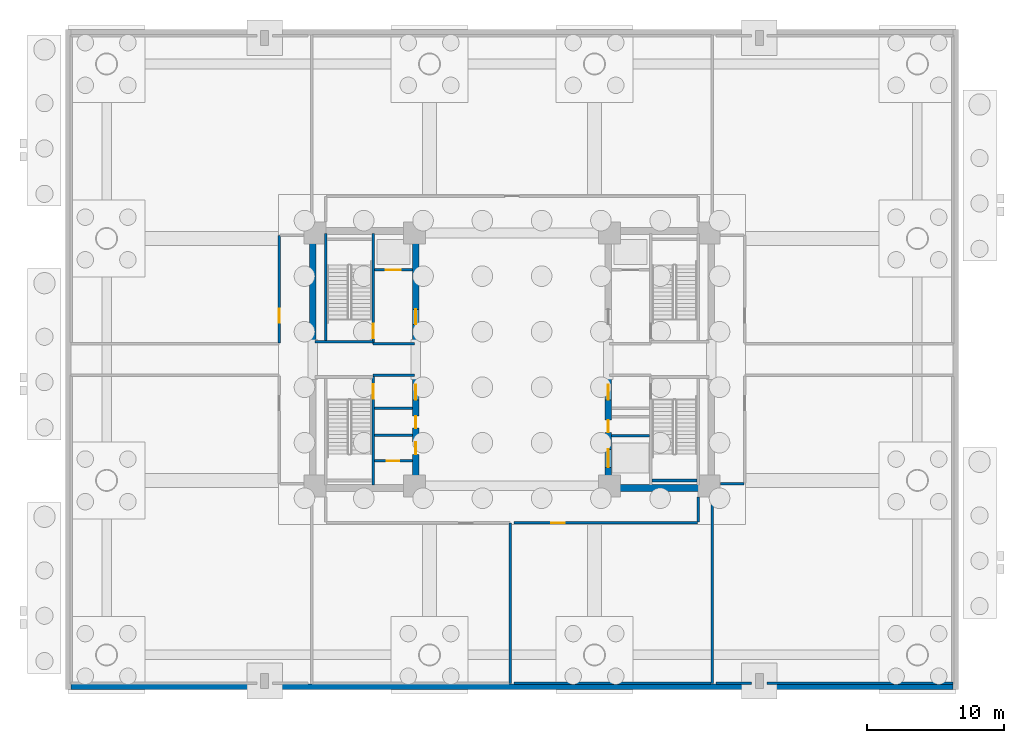
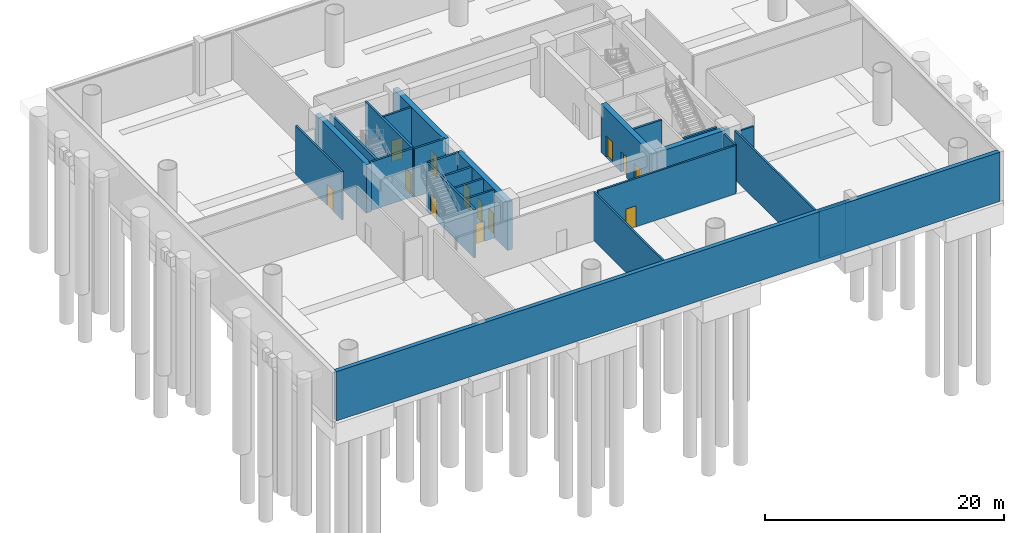
# One storey, part 3 of 7: 27 walls, 13 doors, 13 openings.
"""IFC4 building model written with IfcOpenShell, lengths in metres."""

from ifc_helpers import new_model, si_unit, direction, frame, frame_2d, origin, place, context, subcontext, project, spatial, rectangle, extrude, source, transform, mapped, material, layer, layer_set, type_object, element, fill, save


model = new_model("IFC4")

# Units and contexts
model_context = context("Model", 3, precision=1e-05, world=origin(), true_north=direction((0.0, 1.0)))
body_context = subcontext(model_context, "Body", "Model", "MODEL_VIEW")
ifc_project = project(units=[si_unit("LENGTHUNIT", "METRE"), si_unit("AREAUNIT", "SQUARE_METRE"), si_unit("VOLUMEUNIT", "CUBIC_METRE"), si_unit("PLANEANGLEUNIT", "RADIAN"), si_unit("MASSUNIT", "GRAM", prefix="KILO")], contexts=[model_context])

# Site, building, storey
site_placement = place(None, origin())
site = spatial("IfcSite", under=ifc_project, at=site_placement, CompositionType="ELEMENT")
building_placement = place(site_placement, origin())
building = spatial("IfcBuilding", under=site, at=building_placement, Name="Zahravan Cultural Tower", CompositionType="ELEMENT")
storey_placement = place(building_placement, frame((0.0, 0.0, -5.39990234375)))
storey = spatial("IfcBuildingStorey", under=building, at=storey_placement, Name="B1", CompositionType="ELEMENT", Elevation=-5.39990234375)

# Wall, openings, doors
ifc_material_1 = material(Name="Concrete C60/75", Category="concrete")
ifc_layer_1 = layer(ifc_material_1, 0.5)
ifc_layer_set_1 = layer_set([ifc_layer_1], Name="Concrete C60/75")
wall_type_1 = type_object("IfcWallType", Name="CW-SHEAR-500-C60", PredefinedType="SHEAR", material=ifc_layer_set_1)
wall_1_placement = place(storey_placement, frame((29.0, 17.39990234375, 0.0), z_axis=(0.0, 0.0, 1.0), x_axis=(0.0, 1.0, 0.0)))
wall_1 = element("IfcWall", 1, at=wall_1_placement, inside=storey, type_object=wall_type_1, Name="B1 Core Shear Wall CW-W-ES-B1", PredefinedType="SHEAR", context=body_context, shape_type="SweptSolid", body=[
    extrude(rectangle(XDim=8.550048828125, YDim=0.5, at=frame_2d((4.27490234375, 0.0))), origin(), (0.0, 0.0, 1.0), 4.949951171875),
])
opening_1_placement = place(wall_1_placement, frame((6.64990234375, 0.0, 0.0)))
opening_1 = element("IfcOpeningElement", 2, at=opening_1_placement, cuts=wall_1, Name="Opening D-B1-07", PredefinedType="OPENING", context=body_context, shape_type="SweptSolid", body=[
    extrude(rectangle(XDim=1.10009765625, YDim=2.199951171875, at=frame_2d((0.550048828125, 1.10009765625))), frame((0.0, 0.260009765625, 0.0), z_axis=(0.0, -1.0, 0.0), x_axis=(1.0, 0.0, 0.0)), (0.0, 0.0, 1.0), 0.52001953125),
])
opening_2_placement = place(wall_1_placement, frame((2.699951171875, 0.0, 0.0)))
opening_2 = element("IfcOpeningElement", 3, at=opening_2_placement, cuts=wall_1, Name="Opening D-B1-10", PredefinedType="OPENING", context=body_context, shape_type="SweptSolid", body=[
    extrude(rectangle(XDim=0.8798828125, YDim=2.10009765625, at=frame_2d((0.43994140625, 1.050048828125))), frame((0.0, 0.260009765625, 0.0), z_axis=(0.0, -1.0, 0.0), x_axis=(1.0, 0.0, 0.0)), (0.0, 0.0, 1.0), 0.52001953125),
])
opening_3_placement = place(wall_1_placement, frame((4.60009765625, 0.0, 0.0)))
opening_3 = element("IfcOpeningElement", 4, at=opening_3_placement, cuts=wall_1, Name="Opening D-B1-11", PredefinedType="OPENING", context=body_context, shape_type="SweptSolid", body=[
    extrude(rectangle(XDim=0.8798828125, YDim=2.10009765625, at=frame_2d((0.43994140625, 1.050048828125))), frame((0.0, 0.260009765625, 0.0), z_axis=(0.0, -1.0, 0.0), x_axis=(1.0, 0.0, 0.0)), (0.0, 0.0, 1.0), 0.52001953125),
])
ifc_material_2 = material(Name="Steel ASTM A572 Grade 50", Category="steel")
door_type_1 = type_object("IfcDoorType", Name="DR-LOBBY-1100", OperationType="NOTDEFINED", PredefinedType="DOOR", material=ifc_material_2)
shared_shape_1 = source(origin(), body_context, "Body", "SweptSolid", [
    extrude(rectangle(XDim=1.10009765625, YDim=2.199951171875, at=frame_2d((0.550048828125, 1.10009765625))), frame((0.0, 0.02490234375, 0.0), z_axis=(0.0, -1.0, 0.0), x_axis=(1.0, 0.0, 0.0)), (0.0, 0.0, 1.0), 0.050048828125),
])
door_1_placement = place(opening_1_placement, origin())
door_1 = element("IfcDoor", 5, at=door_1_placement, inside=storey, type_object=door_type_1, Name="B1 Door D-B1-07", OperationType="SINGLE_SWING_RIGHT", OverallHeight=2.199951171875, OverallWidth=1.10009765625, PredefinedType="DOOR", context=body_context, shape_type="MappedRepresentation", body=[
    mapped(shared_shape_1, transform((0.0, 0.0, 0.0), x_axis=(1.0, 0.0, 0.0), y_axis=(0.0, 1.0, 0.0), z_axis=(0.0, 0.0, 1.0), scale=1.0)),
])
fill(opening_1, door_1)
door_type_2 = type_object("IfcDoorType", Name="DR-SVC-880", OperationType="NOTDEFINED", PredefinedType="DOOR", material=ifc_material_2)
shared_shape_2 = source(origin(), body_context, "Body", "SweptSolid", [
    extrude(rectangle(XDim=0.8798828125, YDim=2.10009765625, at=frame_2d((0.43994140625, 1.050048828125))), frame((0.0, 0.02490234375, 0.0), z_axis=(0.0, -1.0, 0.0), x_axis=(1.0, 0.0, 0.0)), (0.0, 0.0, 1.0), 0.050048828125),
])
door_2_placement = place(opening_2_placement, origin())
door_2 = element("IfcDoor", 6, at=door_2_placement, inside=storey, type_object=door_type_2, Name="B1 Door D-B1-10", OperationType="SINGLE_SWING_LEFT", OverallHeight=2.10009765625, OverallWidth=0.8798828125, PredefinedType="DOOR", context=body_context, shape_type="MappedRepresentation", body=[
    mapped(shared_shape_2, transform((0.0, 0.0, 0.0), x_axis=(1.0, 0.0, 0.0), y_axis=(0.0, 1.0, 0.0), z_axis=(0.0, 0.0, 1.0), scale=1.0)),
])
fill(opening_2, door_2)
door_3_placement = place(opening_3_placement, origin())
door_3 = element("IfcDoor", 7, at=door_3_placement, inside=storey, type_object=door_type_2, Name="B1 Door D-B1-11", OperationType="SINGLE_SWING_RIGHT", OverallHeight=2.10009765625, OverallWidth=0.8798828125, PredefinedType="DOOR", context=body_context, shape_type="MappedRepresentation", body=[
    mapped(shared_shape_2, transform((0.0, 0.0, 0.0), x_axis=(1.0, 0.0, 0.0), y_axis=(0.0, 1.0, 0.0), z_axis=(0.0, 0.0, 1.0), scale=1.0)),
])
fill(opening_3, door_3)

# Wall, opening, door
wall_2_placement = place(storey_placement, frame((29.0, 28.050048828125, 0.0), z_axis=(0.0, 0.0, 1.0), x_axis=(0.0, 1.0, 0.0)))
wall_2 = element("IfcWall", 8, at=wall_2_placement, inside=storey, type_object=wall_type_1, Name="B1 Core Shear Wall CW-W-EN-B1", PredefinedType="SHEAR", context=body_context, shape_type="SweptSolid", body=[
    extrude(rectangle(XDim=8.550048828125, YDim=0.5, at=frame_2d((4.27490234375, 0.0))), origin(), (0.0, 0.0, 1.0), 4.949951171875),
])
opening_4_placement = place(wall_2_placement, frame((1.5, 0.0, 0.0)))
opening_4 = element("IfcOpeningElement", 9, at=opening_4_placement, cuts=wall_2, Name="Opening D-B1-05", PredefinedType="OPENING", context=body_context, shape_type="SweptSolid", body=[
    extrude(rectangle(XDim=1.10009765625, YDim=2.199951171875, at=frame_2d((0.550048828125, 1.10009765625))), frame((0.0, 0.260009765625, 0.0), z_axis=(0.0, -1.0, 0.0), x_axis=(1.0, 0.0, 0.0)), (0.0, 0.0, 1.0), 0.52001953125),
])
door_4_placement = place(opening_4_placement, origin())
door_4 = element("IfcDoor", 10, at=door_4_placement, inside=storey, type_object=door_type_1, Name="B1 Door D-B1-05", OperationType="SINGLE_SWING_RIGHT", OverallHeight=2.199951171875, OverallWidth=1.10009765625, PredefinedType="DOOR", context=body_context, shape_type="MappedRepresentation", body=[
    mapped(shared_shape_1, transform((0.0, 0.0, 0.0), x_axis=(1.0, 0.0, 0.0), y_axis=(0.0, 1.0, 0.0), z_axis=(0.0, 0.0, 1.0), scale=1.0)),
])
fill(opening_4, door_4)

# Wall, openings, doors
wall_3_placement = place(storey_placement, frame((43.0, 17.39990234375, 0.0), z_axis=(0.0, 0.0, 1.0), x_axis=(0.0, 1.0, 0.0)))
wall_3 = element("IfcWall", 11, at=wall_3_placement, inside=storey, type_object=wall_type_1, Name="B1 Core Shear Wall CW-E-WS-B1", PredefinedType="SHEAR", context=body_context, shape_type="SweptSolid", body=[
    extrude(rectangle(XDim=8.550048828125, YDim=0.5, at=frame_2d((4.27490234375, 0.0))), origin(), (0.0, 0.0, 1.0), 4.949951171875),
])
opening_5_placement = place(wall_3_placement, frame((6.64990234375, 0.0, 0.0)))
opening_5 = element("IfcOpeningElement", 12, at=opening_5_placement, cuts=wall_3, Name="Opening D-B1-08", PredefinedType="OPENING", context=body_context, shape_type="SweptSolid", body=[
    extrude(rectangle(XDim=1.10009765625, YDim=2.199951171875, at=frame_2d((0.550048828125, 1.10009765625))), frame((0.0, 0.260009765625, 0.0), z_axis=(0.0, -1.0, 0.0), x_axis=(1.0, 0.0, 0.0)), (0.0, 0.0, 1.0), 0.52001953125),
])
opening_6_placement = place(wall_3_placement, frame((1.75, 0.0, 0.0)))
opening_6 = element("IfcOpeningElement", 13, at=opening_6_placement, cuts=wall_3, Name="Opening LD-B1-03", PredefinedType="OPENING", context=body_context, shape_type="SweptSolid", body=[
    extrude(rectangle(XDim=1.300048828125, YDim=2.199951171875, at=frame_2d((0.64990234375, 1.10009765625))), frame((0.0, 0.260009765625, 0.0), z_axis=(0.0, -1.0, 0.0), x_axis=(1.0, 0.0, 0.0)), (0.0, 0.0, 1.0), 0.52001953125),
])
opening_7_placement = place(wall_3_placement, frame((4.300048828125, 0.0, 0.0)))
opening_7 = element("IfcOpeningElement", 14, at=opening_7_placement, cuts=wall_3, Name="Opening D-B1-12", PredefinedType="OPENING", context=body_context, shape_type="SweptSolid", body=[
    extrude(rectangle(XDim=0.8798828125, YDim=2.10009765625, at=frame_2d((0.43994140625, 1.050048828125))), frame((0.0, 0.260009765625, 0.0), z_axis=(0.0, -1.0, 0.0), x_axis=(1.0, 0.0, 0.0)), (0.0, 0.0, 1.0), 0.52001953125),
])
door_5_placement = place(opening_5_placement, origin())
door_5 = element("IfcDoor", 15, at=door_5_placement, inside=storey, type_object=door_type_1, Name="B1 Door D-B1-08", OperationType="SINGLE_SWING_LEFT", OverallHeight=2.199951171875, OverallWidth=1.10009765625, PredefinedType="DOOR", context=body_context, shape_type="MappedRepresentation", body=[
    mapped(shared_shape_1, transform((0.0, 0.0, 0.0), x_axis=(1.0, 0.0, 0.0), y_axis=(0.0, 1.0, 0.0), z_axis=(0.0, 0.0, 1.0), scale=1.0)),
])
fill(opening_5, door_5)
door_type_3 = type_object("IfcDoorType", Name="DR-LIFT-1300", OperationType="DOUBLE_DOOR_SLIDING", PredefinedType="DOOR", material=ifc_material_2)
shared_shape_3 = source(origin(), body_context, "Body", "SweptSolid", [
    extrude(rectangle(XDim=1.300048828125, YDim=2.199951171875, at=frame_2d((0.64990234375, 1.10009765625))), frame((0.0, 0.02490234375, 0.0), z_axis=(0.0, -1.0, 0.0), x_axis=(1.0, 0.0, 0.0)), (0.0, 0.0, 1.0), 0.050048828125),
])
door_6_placement = place(opening_6_placement, origin())
door_6 = element("IfcDoor", 16, at=door_6_placement, inside=storey, type_object=door_type_3, Name="B1 Door LD-B1-03", OperationType="DOUBLE_DOOR_SLIDING", OverallHeight=2.199951171875, OverallWidth=1.300048828125, PredefinedType="DOOR", context=body_context, shape_type="MappedRepresentation", body=[
    mapped(shared_shape_3, transform((0.0, 0.0, 0.0), x_axis=(1.0, 0.0, 0.0), y_axis=(0.0, 1.0, 0.0), z_axis=(0.0, 0.0, 1.0), scale=1.0)),
])
fill(opening_6, door_6)
door_7_placement = place(opening_7_placement, origin())
door_7 = element("IfcDoor", 17, at=door_7_placement, inside=storey, type_object=door_type_2, Name="B1 Door D-B1-12", OperationType="SINGLE_SWING_LEFT", OverallHeight=2.10009765625, OverallWidth=0.8798828125, PredefinedType="DOOR", context=body_context, shape_type="MappedRepresentation", body=[
    mapped(shared_shape_2, transform((0.0, 0.0, 0.0), x_axis=(1.0, 0.0, 0.0), y_axis=(0.0, 1.0, 0.0), z_axis=(0.0, 0.0, 1.0), scale=1.0)),
])
fill(opening_7, door_7)

# Wall, opening, door
ifc_material_3 = material(Name="Gypsum plasterboard partition")
ifc_layer_2 = layer(ifc_material_3, 0.179931640625)
ifc_layer_set_2 = layer_set([ifc_layer_2], Name="Gypsum plasterboard partition")
wall_type_2 = type_object("IfcWallType", Name="W-COMP-180", PredefinedType="PARTITIONING", material=ifc_layer_set_2)
wall_4_placement = place(storey_placement, frame((26.0, 19.6201171875, 0.0), z_axis=(0.0, 0.0, 1.0), x_axis=(1.0, 0.0, 0.0)))
wall_4 = element("IfcWall", 18, at=wall_4_placement, inside=storey, type_object=wall_type_2, Name="B1 Interior Wall 026", PredefinedType="PARTITIONING", context=body_context, shape_type="SweptSolid", body=[
    extrude(rectangle(XDim=2.75, YDim=0.179931640625, at=frame_2d((1.375, 0.0))), origin(), (0.0, 0.0, 1.0), 4.949951171875),
])
opening_8_placement = place(wall_4_placement, frame((0.89990234375, 0.0, 0.0)))
opening_8 = element("IfcOpeningElement", 19, at=opening_8_placement, cuts=wall_4, Name="Opening D-B1-09", PredefinedType="OPENING", context=body_context, shape_type="SweptSolid", body=[
    extrude(rectangle(XDim=0.8798828125, YDim=2.10009765625, at=frame_2d((0.43994140625, 1.050048828125))), frame((0.0, 0.099853515625, 0.0), z_axis=(0.0, -1.0, 0.0), x_axis=(1.0, 0.0, 0.0)), (0.0, 0.0, 1.0), 0.199951171875),
])
door_8_placement = place(opening_8_placement, origin())
door_8 = element("IfcDoor", 20, at=door_8_placement, inside=storey, type_object=door_type_2, Name="B1 Door D-B1-09", OperationType="SINGLE_SWING_RIGHT", OverallHeight=2.10009765625, OverallWidth=0.8798828125, PredefinedType="DOOR", context=body_context, shape_type="MappedRepresentation", body=[
    mapped(shared_shape_2, transform((0.0, 0.0, 0.0), x_axis=(1.0, 0.0, 0.0), y_axis=(0.0, 1.0, 0.0), z_axis=(0.0, 0.0, 1.0), scale=1.0)),
])
fill(opening_8, door_8)

wall_5_placement = place(storey_placement, frame((36.139892578125, 15.110107421875, 0.0), z_axis=(0.0, 0.0, 1.0), x_axis=(0.99999999183, 0.000127830532, 0.0)))
wall_5 = element("IfcWall", 21, at=wall_5_placement, inside=storey, type_object=wall_type_2, Name="B1 Interior Wall 036", PredefinedType="PARTITIONING", context=body_context, shape_type="SweptSolid", body=[
    extrude(rectangle(XDim=13.369140625, YDim=0.179931640625, at=frame_2d((6.6845703125, 0.0))), origin(), (0.0, 0.0, 1.0), 4.949951171875),
])
opening_9_placement = place(wall_5_placement, frame((2.707275390625, 0.0, 0.0)))
opening_9 = element("IfcOpeningElement", 22, at=opening_9_placement, cuts=wall_5, Name="Opening D-B1-17", PredefinedType="OPENING", context=body_context, shape_type="SweptSolid", body=[
    extrude(rectangle(XDim=1.0, YDim=2.14990234375, at=frame_2d((0.5, 1.074951171875))), frame((0.0, 0.099853515625, 0.0), z_axis=(0.0, -1.0, 0.0), x_axis=(1.0, 0.0, 0.0)), (0.0, 0.0, 1.0), 0.199951171875),
])
door_type_4 = type_object("IfcDoorType", Name="DR-COMP-1000", OperationType="NOTDEFINED", PredefinedType="DOOR", material=ifc_material_2)
shared_shape_4 = source(origin(), body_context, "Body", "SweptSolid", [
    extrude(rectangle(XDim=1.0, YDim=2.14990234375, at=frame_2d((0.5, 1.074951171875))), frame((0.0, 0.02490234375, 0.0), z_axis=(0.0, -1.0, 0.0), x_axis=(1.0, 0.0, 0.0)), (0.0, 0.0, 1.0), 0.050048828125),
])
door_9_placement = place(opening_9_placement, origin())
door_9 = element("IfcDoor", 23, at=door_9_placement, inside=storey, type_object=door_type_4, Name="B1 Door D-B1-17", OperationType="SINGLE_SWING_RIGHT", OverallHeight=2.14990234375, OverallWidth=1.0, PredefinedType="DOOR", context=body_context, shape_type="MappedRepresentation", body=[
    mapped(shared_shape_4, transform((0.0, 0.0, 0.0), x_axis=(1.0, 0.0, 0.0), y_axis=(0.0, 1.0, 0.0), z_axis=(0.0, 0.0, 1.0), scale=1.0)),
])
fill(opening_9, door_9)

wall_6_placement = place(storey_placement, frame((19.06201171875, 36.009033203125, 0.0), z_axis=(0.0, 0.0, 1.0), x_axis=(-0.000250109415, -0.999999968723, 0.0)))
wall_6 = element("IfcWall", 24, at=wall_6_placement, inside=storey, type_object=wall_type_2, Name="B1 Interior Wall 055", PredefinedType="PARTITIONING", context=body_context, shape_type="SweptSolid", body=[
    extrude(rectangle(XDim=7.80908203125, YDim=0.179931640625, at=frame_2d((3.904541015625, 0.0))), origin(), (0.0, 0.0, 1.0), 4.949951171875),
])
opening_10_placement = place(wall_6_placement, frame((5.3251953125, 0.0, 0.0)))
opening_10 = element("IfcOpeningElement", 25, at=opening_10_placement, cuts=wall_6, Name="Opening D-B1-14", PredefinedType="OPENING", context=body_context, shape_type="SweptSolid", body=[
    extrude(rectangle(XDim=1.0, YDim=2.14990234375, at=frame_2d((0.5, 1.074951171875))), frame((0.0, 0.099853515625, 0.0), z_axis=(0.0, -1.0, 0.0), x_axis=(1.0, 0.0, 0.0)), (0.0, 0.0, 1.0), 0.199951171875),
])
door_10_placement = place(opening_10_placement, origin())
door_10 = element("IfcDoor", 26, at=door_10_placement, inside=storey, type_object=door_type_4, Name="B1 Door D-B1-14", OperationType="SINGLE_SWING_LEFT", OverallHeight=2.14990234375, OverallWidth=1.0, PredefinedType="DOOR", context=body_context, shape_type="MappedRepresentation", body=[
    mapped(shared_shape_4, transform((0.0, 0.0, 0.0), x_axis=(1.0, 0.0, 0.0), y_axis=(0.0, 1.0, 0.0), z_axis=(0.0, 0.0, 1.0), scale=1.0)),
])
fill(opening_10, door_10)

ifc_material_4 = material(Name="Concrete C45/55", Category="concrete")
ifc_layer_3 = layer(ifc_material_4, 0.199951171875)
ifc_layer_set_3 = layer_set([ifc_layer_3], Name="Concrete C45/55")
wall_type_3 = type_object("IfcWallType", Name="W-SHAFT-200", PredefinedType="SOLIDWALL", material=ifc_layer_set_3)
wall_7_placement = place(storey_placement, frame((25.89990234375, 17.85009765625, 0.0), z_axis=(0.0, 0.0, 1.0), x_axis=(0.0, 1.0, 0.0)))
wall_7 = element("IfcWall", 27, at=wall_7_placement, inside=storey, type_object=wall_type_3, Name="B1 Interior Wall 005", PredefinedType="SOLIDWALL", context=body_context, shape_type="SweptSolid", body=[
    extrude(rectangle(XDim=8.0, YDim=0.199951171875, at=frame_2d((4.0, 0.0))), origin(), (0.0, 0.0, 1.0), 4.949951171875),
])
opening_11_placement = place(wall_7_placement, frame((6.300048828125, 0.0, 0.0)))
opening_11 = element("IfcOpeningElement", 28, at=opening_11_placement, cuts=wall_7, Name="Opening D-B1-04", PredefinedType="OPENING", context=body_context, shape_type="SweptSolid", body=[
    extrude(rectangle(XDim=1.050048828125, YDim=2.14990234375, at=frame_2d((0.52490234375, 1.074951171875))), frame((0.0, 0.10986328125, 0.0), z_axis=(0.0, -1.0, 0.0), x_axis=(1.0, 0.0, 0.0)), (0.0, 0.0, 1.0), 0.219970703125),
])
door_type_5 = type_object("IfcDoorType", Name="DR-STAIR-1050", OperationType="NOTDEFINED", PredefinedType="DOOR", material=ifc_material_2)
shared_shape_5 = source(origin(), body_context, "Body", "SweptSolid", [
    extrude(rectangle(XDim=1.050048828125, YDim=2.14990234375, at=frame_2d((0.52490234375, 1.074951171875))), frame((0.0, 0.02490234375, 0.0), z_axis=(0.0, -1.0, 0.0), x_axis=(1.0, 0.0, 0.0)), (0.0, 0.0, 1.0), 0.050048828125),
])
door_11_placement = place(opening_11_placement, origin())
door_11 = element("IfcDoor", 29, at=door_11_placement, inside=storey, type_object=door_type_5, Name="B1 Door D-B1-04", OperationType="SINGLE_SWING_LEFT", OverallHeight=2.14990234375, OverallWidth=1.050048828125, PredefinedType="DOOR", context=body_context, shape_type="MappedRepresentation", body=[
    mapped(shared_shape_5, transform((0.0, 0.0, 0.0), x_axis=(1.0, 0.0, 0.0), y_axis=(0.0, 1.0, 0.0), z_axis=(0.0, 0.0, 1.0), scale=1.0)),
])
fill(opening_11, door_11)

wall_8_placement = place(storey_placement, frame((25.89990234375, 28.14990234375, 0.0), z_axis=(0.0, 0.0, 1.0), x_axis=(0.0, 1.0, 0.0)))
wall_8 = element("IfcWall", 30, at=wall_8_placement, inside=storey, type_object=wall_type_3, Name="B1 Interior Wall 006", PredefinedType="SOLIDWALL", context=body_context, shape_type="SweptSolid", body=[
    extrude(rectangle(XDim=8.0, YDim=0.199951171875, at=frame_2d((4.0, 0.0))), origin(), (0.0, 0.0, 1.0), 4.949951171875),
])
opening_12_placement = place(wall_8_placement, frame((0.39990234375, 0.0, 0.0)))
opening_12 = element("IfcOpeningElement", 31, at=opening_12_placement, cuts=wall_8, Name="Opening D-B1-01", PredefinedType="OPENING", context=body_context, shape_type="SweptSolid", body=[
    extrude(rectangle(XDim=1.050048828125, YDim=2.14990234375, at=frame_2d((0.52490234375, 1.074951171875))), frame((0.0, 0.10986328125, 0.0), z_axis=(0.0, -1.0, 0.0), x_axis=(1.0, 0.0, 0.0)), (0.0, 0.0, 1.0), 0.219970703125),
])
door_12_placement = place(opening_12_placement, origin())
door_12 = element("IfcDoor", 32, at=door_12_placement, inside=storey, type_object=door_type_5, Name="B1 Door D-B1-01", OperationType="SINGLE_SWING_RIGHT", OverallHeight=2.14990234375, OverallWidth=1.050048828125, PredefinedType="DOOR", context=body_context, shape_type="MappedRepresentation", body=[
    mapped(shared_shape_5, transform((0.0, 0.0, 0.0), x_axis=(1.0, 0.0, 0.0), y_axis=(0.0, 1.0, 0.0), z_axis=(0.0, 0.0, 1.0), scale=1.0)),
])
fill(opening_12, door_12)

wall_9_placement = place(storey_placement, frame((26.0, 33.52001953125, 0.0), z_axis=(0.0, 0.0, 1.0), x_axis=(1.0, 0.0, 0.0)))
wall_9 = element("IfcWall", 33, at=wall_9_placement, inside=storey, type_object=wall_type_3, Name="B1 Interior Wall 021", PredefinedType="SOLIDWALL", context=body_context, shape_type="SweptSolid", body=[
    extrude(rectangle(XDim=2.75, YDim=0.199951171875, at=frame_2d((1.375, 0.0))), origin(), (0.0, 0.0, 1.0), 4.949951171875),
])
opening_13_placement = place(wall_9_placement, frame((0.820068359375, 0.0, 0.0)))
opening_13 = element("IfcOpeningElement", 34, at=opening_13_placement, cuts=wall_9, Name="Opening LD-B1-01", PredefinedType="OPENING", context=body_context, shape_type="SweptSolid", body=[
    extrude(rectangle(XDim=1.10009765625, YDim=2.14990234375, at=frame_2d((0.550048828125, 1.074951171875))), frame((0.0, 0.10986328125, 0.0), z_axis=(0.0, -1.0, 0.0), x_axis=(1.0, 0.0, 0.0)), (0.0, 0.0, 1.0), 0.219970703125),
])
door_type_6 = type_object("IfcDoorType", Name="DR-LIFT-1100", OperationType="DOUBLE_DOOR_SLIDING", PredefinedType="DOOR", material=ifc_material_2)
shared_shape_6 = source(origin(), body_context, "Body", "SweptSolid", [
    extrude(rectangle(XDim=1.10009765625, YDim=2.14990234375, at=frame_2d((0.550048828125, 1.074951171875))), frame((0.0, 0.02490234375, 0.0), z_axis=(0.0, -1.0, 0.0), x_axis=(1.0, 0.0, 0.0)), (0.0, 0.0, 1.0), 0.050048828125),
])
door_13_placement = place(opening_13_placement, origin())
door_13 = element("IfcDoor", 35, at=door_13_placement, inside=storey, type_object=door_type_6, Name="B1 Door LD-B1-01", OperationType="DOUBLE_DOOR_SLIDING", OverallHeight=2.14990234375, OverallWidth=1.10009765625, PredefinedType="DOOR", context=body_context, shape_type="MappedRepresentation", body=[
    mapped(shared_shape_6, transform((0.0, 0.0, 0.0), x_axis=(1.0, 0.0, 0.0), y_axis=(0.0, 1.0, 0.0), z_axis=(0.0, 0.0, 1.0), scale=1.0)),
])
fill(opening_13, door_13)

# Walls
ifc_material_5 = material(Name="Concrete C50/60", Category="concrete")
ifc_layer_4 = layer(ifc_material_5, 0.39990234375)
ifc_layer_set_4 = layer_set([ifc_layer_4], Name="Concrete C50/60")
wall_type_4 = type_object("IfcWallType", Name="W-RET-400-C50", PredefinedType="SHEAR", material=ifc_layer_set_4)
shared_shape_7 = source(origin(), body_context, "Body", "SweptSolid", [
    extrude(rectangle(XDim=64.2001953125, YDim=0.39990234375, at=frame_2d((32.10009765625, 0.0))), origin(), (0.0, 0.0, 1.0), 5.0498046875),
])
wall_10_placement = place(storey_placement, frame((3.89990234375, 3.199951171875, 0.0), z_axis=(0.0, 0.0, 1.0), x_axis=(1.0, 0.0, 0.0)))
element("IfcWall", 36, at=wall_10_placement, inside=storey, type_object=wall_type_4, Name="B1 Retaining Wall CW-B1-RET-S", PredefinedType="SHEAR", context=body_context, shape_type="MappedRepresentation", body=[
    mapped(shared_shape_7, transform((0.0, 0.0, 0.0), x_axis=(1.0, 0.0, 0.0), y_axis=(0.0, 1.0, 0.0), z_axis=(0.0, 0.0, 1.0), scale=1.0)),
])
shared_shape_8 = source(origin(), body_context, "Body", "SweptSolid", [
    extrude(rectangle(XDim=8.550048828125, YDim=0.5, at=frame_2d((4.27490234375, 0.0))), origin(), (0.0, 0.0, 1.0), 4.949951171875),
])
wall_11_placement = place(storey_placement, frame((21.5, 28.050048828125, 0.0), z_axis=(0.0, 0.0, 1.0), x_axis=(0.0, 1.0, 0.0)))
element("IfcWall", 37, at=wall_11_placement, inside=storey, type_object=wall_type_1, Name="B1 Core Shear Wall CW-W-WN-B1", PredefinedType="SHEAR", context=body_context, shape_type="MappedRepresentation", body=[
    mapped(shared_shape_8, transform((0.0, 0.0, 0.0), x_axis=(1.0, 0.0, 0.0), y_axis=(0.0, 1.0, 0.0), z_axis=(0.0, 0.0, 1.0), scale=1.0)),
])
shared_shape_9 = source(origin(), body_context, "Body", "SweptSolid", [
    extrude(rectangle(XDim=7.0, YDim=0.5, at=frame_2d((3.5, 0.0))), origin(), (0.0, 0.0, 1.0), 4.949951171875),
])
wall_12_placement = place(storey_placement, frame((43.25, 17.64990234375, 0.0), z_axis=(0.0, 0.0, 1.0), x_axis=(1.0, 0.0, 0.0)))
element("IfcWall", 38, at=wall_12_placement, inside=storey, type_object=wall_type_1, Name="B1 Core Shear Wall CW-E-S-B1", PredefinedType="SHEAR", context=body_context, shape_type="MappedRepresentation", body=[
    mapped(shared_shape_9, transform((0.0, 0.0, 0.0), x_axis=(1.0, 0.0, 0.0), y_axis=(0.0, 1.0, 0.0), z_axis=(0.0, 0.0, 1.0), scale=1.0)),
])
shared_shape_10 = source(origin(), body_context, "Body", "SweptSolid", [
    extrude(rectangle(XDim=7.869873046875, YDim=0.199951171875, at=frame_2d((3.93505859375, 0.0))), origin(), (0.0, 0.0, 1.0), 4.949951171875),
])
wall_13_placement = place(storey_placement, frame((22.449951171875, 28.280029296875, 0.0), z_axis=(0.0, 0.0, 1.0), x_axis=(0.0, 1.0, 0.0)))
element("IfcWall", 39, at=wall_13_placement, inside=storey, type_object=wall_type_3, Name="B1 Interior Wall 002", PredefinedType="SOLIDWALL", context=body_context, shape_type="MappedRepresentation", body=[
    mapped(shared_shape_10, transform((0.0, 0.0, 0.0), x_axis=(1.0, 0.0, 0.0), y_axis=(0.0, 1.0, 0.0), z_axis=(0.0, 0.0, 1.0), scale=1.0)),
])
shared_shape_11 = source(origin(), body_context, "Body", "SweptSolid", [
    extrude(rectangle(XDim=4.25, YDim=0.199951171875, at=frame_2d((2.125, 0.0))), origin(), (0.0, 0.0, 1.0), 4.949951171875),
])
wall_14_placement = place(storey_placement, frame((21.64990234375, 28.284912109375, 0.0), z_axis=(0.0, 0.0, 1.0), x_axis=(1.0, 0.0, 0.0)))
element("IfcWall", 40, at=wall_14_placement, inside=storey, type_object=wall_type_3, Name="B1 Interior Wall 011", PredefinedType="SOLIDWALL", context=body_context, shape_type="MappedRepresentation", body=[
    mapped(shared_shape_11, transform((0.0, 0.0, 0.0), x_axis=(1.0, 0.0, 0.0), y_axis=(0.0, 1.0, 0.0), z_axis=(0.0, 0.0, 1.0), scale=1.0)),
])
shared_shape_12 = source(origin(), body_context, "Body", "SweptSolid", [
    extrude(rectangle(XDim=3.0, YDim=0.199951171875, at=frame_2d((1.5, 0.0))), origin(), (0.0, 0.0, 1.0), 4.949951171875),
])
for number, where, z_axis, x_axis, name in (
    (41, (25.89990234375, 25.85009765625, 0.0), (0.0, 0.0, 1.0), (1.0, 0.0, 0.0), "B1 Interior Wall 010"),
    (42, (25.89990234375, 28.14990234375, 0.0), (0.0, 0.0, 1.0), (1.0, 0.0, 0.0), "B1 Interior Wall 012"),
):
    element("IfcWall", number, at=place(storey_placement, frame(where, z_axis=z_axis, x_axis=x_axis)), inside=storey, type_object=wall_type_3, Name=name, PredefinedType="SOLIDWALL", context=body_context, shape_type="MappedRepresentation", body=[
        mapped(shared_shape_12, transform((0.0, 0.0, 0.0), x_axis=(1.0, 0.0, 0.0), y_axis=(0.0, 1.0, 0.0), z_axis=(0.0, 0.0, 1.0), scale=1.0)),
    ])
shared_shape_13 = source(origin(), body_context, "Body", "SweptSolid", [
    extrude(rectangle(XDim=3.25, YDim=0.199951171875, at=frame_2d((1.625, 0.0))), origin(), (0.0, 0.0, 1.0), 4.949951171875),
])
wall_15_placement = place(storey_placement, frame((46.199951171875, 18.199951171875, 0.0), z_axis=(0.0, 0.0, 1.0), x_axis=(1.0, 0.0, 0.0)))
element("IfcWall", 43, at=wall_15_placement, inside=storey, type_object=wall_type_3, Name="B1 Interior Wall 020", PredefinedType="SOLIDWALL", context=body_context, shape_type="MappedRepresentation", body=[
    mapped(shared_shape_13, transform((0.0, 0.0, 0.0), x_axis=(1.0, 0.0, 0.0), y_axis=(0.0, 1.0, 0.0), z_axis=(0.0, 0.0, 1.0), scale=1.0)),
])
shared_shape_14 = source(origin(), body_context, "Body", "SweptSolid", [
    extrude(rectangle(XDim=2.75, YDim=0.199951171875, at=frame_2d((1.375, 0.0))), origin(), (0.0, 0.0, 1.0), 4.949951171875),
])
for number, where, z_axis, x_axis, name in (
    (44, (26.0, 23.449951171875, 0.0), (0.0, 0.0, 1.0), (1.0, 0.0, 0.0), "B1 Interior Wall 023"),
    (45, (43.25, 21.449951171875, 0.0), (0.0, 0.0, 1.0), (1.0, 0.0, 0.0), "B1 Interior Wall 025"),
):
    element("IfcWall", number, at=place(storey_placement, frame(where, z_axis=z_axis, x_axis=x_axis)), inside=storey, type_object=wall_type_3, Name=name, PredefinedType="SOLIDWALL", context=body_context, shape_type="MappedRepresentation", body=[
        mapped(shared_shape_14, transform((0.0, 0.0, 0.0), x_axis=(1.0, 0.0, 0.0), y_axis=(0.0, 1.0, 0.0), z_axis=(0.0, 0.0, 1.0), scale=1.0)),
    ])
shared_shape_15 = source(origin(), body_context, "Body", "SweptSolid", [
    extrude(rectangle(XDim=2.75, YDim=0.179931640625, at=frame_2d((1.375, 0.0))), origin(), (0.0, 0.0, 1.0), 4.949951171875),
])
wall_16_placement = place(storey_placement, frame((26.0, 21.47998046875, 0.0), z_axis=(0.0, 0.0, 1.0), x_axis=(1.0, 0.0, 0.0)))
element("IfcWall", 46, at=wall_16_placement, inside=storey, type_object=wall_type_2, Name="B1 Interior Wall 027", PredefinedType="PARTITIONING", context=body_context, shape_type="MappedRepresentation", body=[
    mapped(shared_shape_15, transform((0.0, 0.0, 0.0), x_axis=(1.0, 0.0, 0.0), y_axis=(0.0, 1.0, 0.0), z_axis=(0.0, 0.0, 1.0), scale=1.0)),
])
shared_shape_16 = source(origin(), body_context, "Body", "SweptSolid", [
    extrude(rectangle(XDim=11.705078125, YDim=0.179931640625, at=frame_2d((5.8525390625, 0.0))), origin(), (0.0, 0.0, 1.0), 4.949951171875),
])
wall_17_placement = place(storey_placement, frame((35.860107421875, 15.110107421875, 0.0), z_axis=(0.0, 0.0, 1.0), x_axis=(0.0, -1.0, 0.0)))
element("IfcWall", 47, at=wall_17_placement, inside=storey, type_object=wall_type_2, Name="B1 Interior Wall 031", PredefinedType="PARTITIONING", context=body_context, shape_type="MappedRepresentation", body=[
    mapped(shared_shape_16, transform((0.0, 0.0, 0.0), x_axis=(1.0, 0.0, 0.0), y_axis=(0.0, 1.0, 0.0), z_axis=(0.0, 0.0, 1.0), scale=1.0)),
])
shared_shape_17 = source(origin(), body_context, "Body", "SweptSolid", [
    extrude(rectangle(XDim=13.574951171875, YDim=0.179931640625, at=frame_2d((6.78759765625, 0.0))), origin(), (0.0, 0.0, 1.0), 4.949951171875),
])
wall_18_placement = place(storey_placement, frame((50.56005859375, 16.97998046875, 0.0), z_axis=(0.0, 0.0, 1.0), x_axis=(0.0, -1.0, 0.0)))
element("IfcWall", 48, at=wall_18_placement, inside=storey, type_object=wall_type_2, Name="B1 Interior Wall 034", PredefinedType="PARTITIONING", context=body_context, shape_type="MappedRepresentation", body=[
    mapped(shared_shape_17, transform((0.0, 0.0, 0.0), x_axis=(1.0, 0.0, 0.0), y_axis=(0.0, 1.0, 0.0), z_axis=(0.0, 0.0, 1.0), scale=1.0)),
])
shared_shape_18 = source(origin(), body_context, "Body", "SweptSolid", [
    extrude(rectangle(XDim=14.3251953125, YDim=0.179931640625, at=frame_2d((7.16259765625, 0.0))), origin(), (0.0, 0.0, 1.0), 4.949951171875),
])
wall_19_placement = place(storey_placement, frame((50.465087890625, 3.43994140625, 0.0), z_axis=(0.0, 0.0, 1.0), x_axis=(-1.0, 0.0, 0.0)))
element("IfcWall", 49, at=wall_19_placement, inside=storey, type_object=wall_type_2, Name="B1 Interior Wall 035", PredefinedType="PARTITIONING", context=body_context, shape_type="MappedRepresentation", body=[
    mapped(shared_shape_18, transform((0.0, 0.0, 0.0), x_axis=(1.0, 0.0, 0.0), y_axis=(0.0, 1.0, 0.0), z_axis=(0.0, 0.0, 1.0), scale=1.0)),
])
shared_shape_19 = source(origin(), body_context, "Body", "SweptSolid", [
    extrude(rectangle(XDim=1.82568359375, YDim=0.179931640625, at=frame_2d((0.912841796875, 0.0))), origin(), (0.0, 0.0, 1.0), 4.949951171875),
])
wall_20_placement = place(storey_placement, frame((49.5400390625, 15.154296875, 0.0), z_axis=(0.0, 0.0, 1.0), x_axis=(0.0, 1.0, 0.0)))
element("IfcWall", 50, at=wall_20_placement, inside=storey, type_object=wall_type_2, Name="B1 Interior Wall 037", PredefinedType="PARTITIONING", context=body_context, shape_type="MappedRepresentation", body=[
    mapped(shared_shape_19, transform((0.0, 0.0, 0.0), x_axis=(1.0, 0.0, 0.0), y_axis=(0.0, 1.0, 0.0), z_axis=(0.0, 0.0, 1.0), scale=1.0)),
])
shared_shape_20 = source(origin(), body_context, "Body", "SweptSolid", [
    extrude(rectangle(XDim=2.58984375, YDim=0.179931640625, at=frame_2d((1.294921875, 0.0))), origin(), (0.0, 0.0, 1.0), 4.949951171875),
])
wall_21_placement = place(storey_placement, frame((53.429931640625, 3.43994140625, 0.0), z_axis=(0.0, 0.0, 1.0), x_axis=(-1.0, 0.0, 0.0)))
element("IfcWall", 51, at=wall_21_placement, inside=storey, type_object=wall_type_2, Name="B1 Interior Wall 059", PredefinedType="PARTITIONING", context=body_context, shape_type="MappedRepresentation", body=[
    mapped(shared_shape_20, transform((0.0, 0.0, 0.0), x_axis=(1.0, 0.0, 0.0), y_axis=(0.0, 1.0, 0.0), z_axis=(0.0, 0.0, 1.0), scale=1.0)),
])
shared_shape_21 = source(origin(), body_context, "Body", "SweptSolid", [
    extrude(rectangle(XDim=13.530029296875, YDim=0.179931640625, at=frame_2d((6.76513671875, 0.0))), origin(), (0.0, 0.0, 1.0), 4.949951171875),
])
wall_22_placement = place(storey_placement, frame((68.10009765625, 3.43994140625, 0.0), z_axis=(0.0, 0.0, 1.0), x_axis=(-1.0, 0.0, 0.0)))
element("IfcWall", 52, at=wall_22_placement, inside=storey, type_object=wall_type_2, Name="B1 Interior Wall 058", PredefinedType="PARTITIONING", context=body_context, shape_type="MappedRepresentation", body=[
    mapped(shared_shape_21, transform((0.0, 0.0, 0.0), x_axis=(1.0, 0.0, 0.0), y_axis=(0.0, 1.0, 0.0), z_axis=(0.0, 0.0, 1.0), scale=1.0)),
])
shared_shape_22 = source(origin(), body_context, "Body", "SweptSolid", [
    extrude(rectangle(XDim=1.72412109375, YDim=0.179931640625, at=frame_2d((0.862060546875, 0.0))), origin(), (0.0, 0.0, 1.0), 3.991943359375),
])
wall_23_placement = place(storey_placement, frame((51.169921875, 17.9599609375, 0.0), z_axis=(0.0, 0.0, 1.0), x_axis=(1.0, 0.0, 0.0)))
element("IfcWall", 53, at=wall_23_placement, inside=storey, type_object=wall_type_2, Name="B1 Interior Wall 060", PredefinedType="PARTITIONING", context=body_context, shape_type="MappedRepresentation", body=[
    mapped(shared_shape_22, transform((0.0, 0.0, 0.0), x_axis=(1.0, 0.0, 0.0), y_axis=(0.0, 1.0, 0.0), z_axis=(0.0, 0.0, 1.0), scale=1.0)),
])

save(model, "model.ifc")
